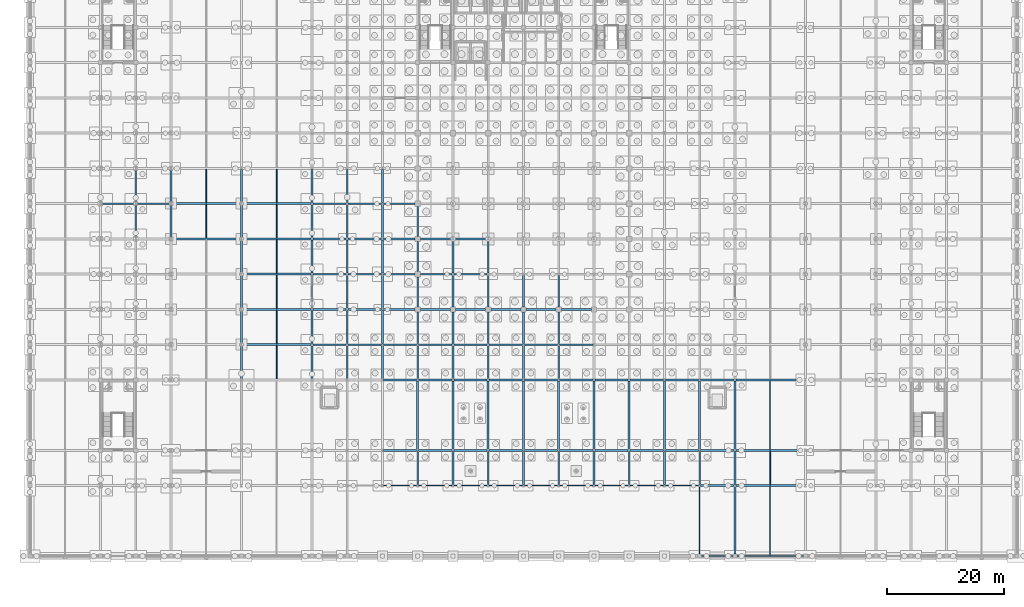
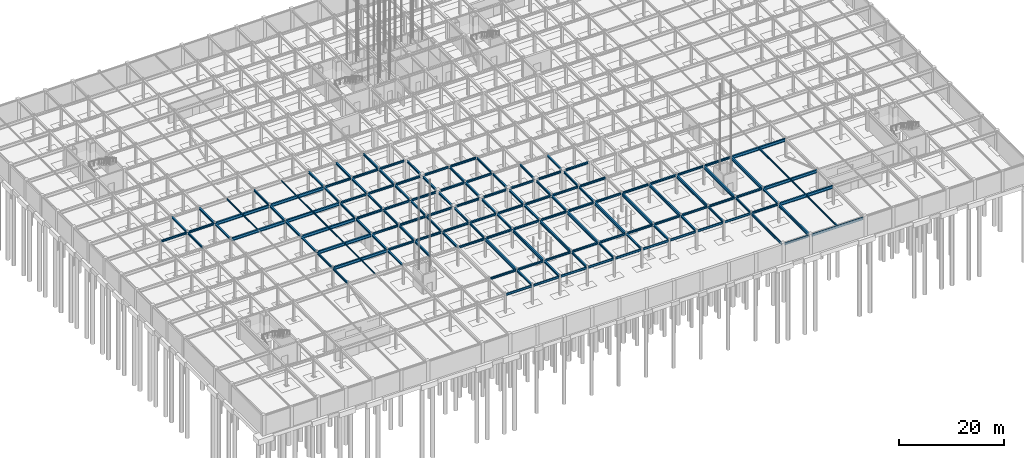
# One storey, part 35 of 69: 153 beams.
"""IFC4 building model written with IfcOpenShell, lengths in metres."""

from ifc_helpers import new_model, si_unit, direction, frame, origin, origin_2d, place, context, subcontext, project, spatial, i_section, extrude, material, material_profile, profile_set, type_object, element, save


model = new_model("IFC4")

# Units and contexts
model_context = context("Model", 3, precision=1e-05, world=origin(), true_north=direction((0.0, 1.0)))
body_context = subcontext(model_context, "Body", "Model", "MODEL_VIEW")
ifc_project = project(units=[si_unit("LENGTHUNIT", "METRE"), si_unit("AREAUNIT", "SQUARE_METRE"), si_unit("VOLUMEUNIT", "CUBIC_METRE"), si_unit("PLANEANGLEUNIT", "RADIAN"), si_unit("MASSUNIT", "GRAM", prefix="KILO")], contexts=[model_context])

# Site, building, storey
site_placement = place(None, origin())
site = spatial("IfcSite", under=ifc_project, at=site_placement, CompositionType="ELEMENT")
building_placement = place(site_placement, origin())
building = spatial("IfcBuilding", under=site, at=building_placement, Name="Zlatovratsky Civic Hall", CompositionType="ELEMENT")
storey_placement = place(building_placement, frame((0.0, 0.0, -4.800048828125)))
storey = spatial("IfcBuildingStorey", under=building, at=storey_placement, Name="B1", CompositionType="ELEMENT", Elevation=-4.800048828125)

# Beams
ifc_material = material(Name="Steel S355", Category="steel")
ifc_material_profile_1 = material_profile(ifc_material, i_section(OverallWidth=0.320068359375, OverallDepth=0.68310546875, WebThickness=0.012939453125, FlangeThickness=0.01904296875, FilletRadius=0.02587890625, at=origin_2d()), Name="70Sh1")
ifc_profile_set_1 = profile_set([ifc_material_profile_1], Name="Steel S355")
beam_type_1 = type_object("IfcBeamType", Name="Beam_HallGirder_70Sh1", PredefinedType="BEAM", material=ifc_profile_set_1)
for number, where, z_axis, x_axis, name in (
    (1, (120.175048828125, 12.0, 4.138427734375), (1.0, 0.0, 0.0), (0.0, 1.0, 0.0), "BM-0030"),
    (2, (120.175048828125, 18.0, 4.138427734375), (1.0, 0.0, 0.0), (0.0, 1.0, 0.0), "BM-0052"),
    (3, (120.175048828125, 30.0, 4.138427734375), (1.0, 0.0, 0.0), (0.0, 1.0, 0.0), "BM-0074"),
    (4, (36.175048828125, 36.0, 4.138427734375), (1.0, 0.0, 0.0), (0.0, 1.0, 0.0), "BM-0083"),
    (5, (36.175048828125, 42.0, 4.138427734375), (1.0, 0.0, 0.0), (0.0, 1.0, 0.0), "BM-0105"),
    (6, (36.175048828125, 48.0, 4.138427734375), (1.0, 0.0, 0.0), (0.0, 1.0, 0.0), "BM-0127"),
    (7, (24.175048828125, 54.0, 4.138427734375), (1.0, 0.0, 0.0), (0.0, 1.0, 0.0), "BM-0148"),
    (8, (36.175048828125, 54.0, 4.138427734375), (1.0, 0.0, 0.0), (0.0, 1.0, 0.0), "BM-0149"),
    (9, (24.175048828125, 60.0, 4.138427734375), (1.0, 0.0, 0.0), (0.0, 1.0, 0.0), "BM-0170"),
    (10, (36.175048828125, 60.0, 4.138427734375), (1.0, 0.0, 0.0), (0.0, 1.0, 0.0), "BM-0171"),
    (11, (66.0, 18.175048828125, 4.138427734375), (0.0, 1.0, 0.0), (-1.0, 0.0, 0.0), "BM-0519"),
    (12, (72.0, 18.175048828125, 4.138427734375), (0.0, 1.0, 0.0), (-1.0, 0.0, 0.0), "BM-0535"),
    (13, (78.0, 18.175048828125, 4.138427734375), (0.0, 1.0, 0.0), (-1.0, 0.0, 0.0), "BM-0551"),
    (14, (84.0, 18.175048828125, 4.138427734375), (0.0, 1.0, 0.0), (-1.0, 0.0, 0.0), "BM-0567"),
    (15, (90.0, 18.175048828125, 4.138427734375), (0.0, 1.0, 0.0), (-1.0, 0.0, 0.0), "BM-0583"),
    (16, (96.0, 18.175048828125, 4.138427734375), (0.0, 1.0, 0.0), (-1.0, 0.0, 0.0), "BM-0599"),
    (17, (102.0, 18.175048828125, 4.138427734375), (0.0, 1.0, 0.0), (-1.0, 0.0, 0.0), "BM-0615"),
    (18, (108.0, 18.175048828125, 4.138427734375), (0.0, 1.0, 0.0), (-1.0, 0.0, 0.0), "BM-0631"),
    (19, (114.0, 18.175048828125, 4.138427734375), (0.0, 1.0, 0.0), (-1.0, 0.0, 0.0), "BM-0648"),
):
    element("IfcBeam", number, at=place(storey_placement, frame(where, z_axis=z_axis, x_axis=x_axis)), inside=storey, type_object=beam_type_1, Name=name, PredefinedType="BEAM", context=body_context, shape_type="SweptSolid", body=[
        extrude(i_section(OverallWidth=0.320068359375, OverallDepth=0.68310546875, WebThickness=0.012939453125, FlangeThickness=0.01904296875, FilletRadius=0.02587890625, at=origin_2d()), origin(), (0.0, 0.0, 1.0), 11.64990234375),
    ])
beam_1_placement = place(storey_placement, frame((120.0, 0.35009765625, 4.138427734375), z_axis=(0.0, 1.0, 0.0), x_axis=(-1.0, 0.0, 0.0)))
element("IfcBeam", 20, at=beam_1_placement, inside=storey, type_object=beam_type_1, Name="BM-0663", PredefinedType="BEAM", context=body_context, shape_type="SweptSolid", body=[
    extrude(i_section(OverallWidth=0.320068359375, OverallDepth=0.68310546875, WebThickness=0.012939453125, FlangeThickness=0.01904296875, FilletRadius=0.02587890625, at=origin_2d()), origin(), (0.0, 0.0, 1.0), 11.474853515625),
])
beam_2_placement = place(storey_placement, frame((120.0, 18.175048828125, 4.138427734375), z_axis=(0.0, 1.0, 0.0), x_axis=(-1.0, 0.0, 0.0)))
element("IfcBeam", 21, at=beam_2_placement, inside=storey, type_object=beam_type_1, Name="BM-0665", PredefinedType="BEAM", context=body_context, shape_type="SweptSolid", body=[
    extrude(i_section(OverallWidth=0.320068359375, OverallDepth=0.68310546875, WebThickness=0.012939453125, FlangeThickness=0.01904296875, FilletRadius=0.02587890625, at=origin_2d()), origin(), (0.0, 0.0, 1.0), 11.64990234375),
])
ifc_material_profile_2 = material_profile(ifc_material, i_section(OverallWidth=0.198974609375, OverallDepth=0.491943359375, WebThickness=0.0087890625, FlangeThickness=0.011962890625, FilletRadius=0.01611328125, at=origin_2d()), Name="50B1")
ifc_profile_set_2 = profile_set([ifc_material_profile_2], Name="Steel S355")
beam_type_2 = type_object("IfcBeamType", Name="Beam_Spandrel_50B1", PredefinedType="SPANDREL", material=ifc_profile_set_2)
beam_3_placement = place(storey_placement, frame((114.35009765625, 0.0, 4.234130859375), z_axis=(1.0, 0.0, 0.0), x_axis=(0.0, 1.0, 0.0)))
element("IfcBeam", 22, at=beam_3_placement, inside=storey, type_object=beam_type_2, Name="BM-0007", PredefinedType="SPANDREL", context=body_context, shape_type="SweptSolid", body=[
    extrude(i_section(OverallWidth=0.198974609375, OverallDepth=0.491943359375, WebThickness=0.0087890625, FlangeThickness=0.011962890625, FilletRadius=0.01611328125, at=origin_2d()), origin(), (0.0, 0.0, 1.0), 5.2998046875),
])
for number, where, z_axis, x_axis, name in (
    (23, (60.175048828125, 12.0, 4.234130859375), (1.0, 0.0, 0.0), (0.0, 1.0, 0.0), "BM-0020"),
    (24, (66.175048828125, 12.0, 4.234130859375), (1.0, 0.0, 0.0), (0.0, 1.0, 0.0), "BM-0021"),
    (25, (72.175048828125, 12.0, 4.234130859375), (1.0, 0.0, 0.0), (0.0, 1.0, 0.0), "BM-0022"),
    (26, (78.175048828125, 12.0, 4.234130859375), (1.0, 0.0, 0.0), (0.0, 1.0, 0.0), "BM-0023"),
    (27, (84.175048828125, 12.0, 4.234130859375), (1.0, 0.0, 0.0), (0.0, 1.0, 0.0), "BM-0024"),
    (28, (90.175048828125, 12.0, 4.234130859375), (1.0, 0.0, 0.0), (0.0, 1.0, 0.0), "BM-0025"),
    (29, (96.175048828125, 12.0, 4.234130859375), (1.0, 0.0, 0.0), (0.0, 1.0, 0.0), "BM-0026"),
    (30, (102.175048828125, 12.0, 4.234130859375), (1.0, 0.0, 0.0), (0.0, 1.0, 0.0), "BM-0027"),
    (31, (108.175048828125, 12.0, 4.234130859375), (1.0, 0.0, 0.0), (0.0, 1.0, 0.0), "BM-0028"),
):
    element("IfcBeam", number, at=place(storey_placement, frame(where, z_axis=z_axis, x_axis=x_axis)), inside=storey, type_object=beam_type_2, Name=name, PredefinedType="SPANDREL", context=body_context, shape_type="SweptSolid", body=[
        extrude(i_section(OverallWidth=0.198974609375, OverallDepth=0.491943359375, WebThickness=0.0087890625, FlangeThickness=0.011962890625, FilletRadius=0.01611328125, at=origin_2d()), origin(), (0.0, 0.0, 1.0), 5.64990234375),
    ])
ifc_material_profile_3 = material_profile(ifc_material, i_section(OverallWidth=0.198974609375, OverallDepth=0.593017578125, WebThickness=0.010498046875, FlangeThickness=0.014892578125, FilletRadius=0.01806640625, at=origin_2d()), Name="60B1")
ifc_profile_set_3 = profile_set([ifc_material_profile_3], Name="Steel S355")
beam_type_3 = type_object("IfcBeamType", Name="Beam_Spandrel_60B1", PredefinedType="SPANDREL", material=ifc_profile_set_3)
beam_4_placement = place(storey_placement, frame((120.35009765625, 0.0, 4.18359375), z_axis=(1.0, 0.0, 0.0), x_axis=(0.0, 1.0, 0.0)))
element("IfcBeam", 32, at=beam_4_placement, inside=storey, type_object=beam_type_3, Name="BM-0008", PredefinedType="SPANDREL", context=body_context, shape_type="SweptSolid", body=[
    extrude(i_section(OverallWidth=0.198974609375, OverallDepth=0.593017578125, WebThickness=0.010498046875, FlangeThickness=0.014892578125, FilletRadius=0.01806640625, at=origin_2d()), origin(), (0.0, 0.0, 1.0), 11.2998046875),
])
beam_5_placement = place(storey_placement, frame((114.0, 0.35009765625, 4.18359375), z_axis=(0.0, 1.0, 0.0), x_axis=(-1.0, 0.0, 0.0)))
element("IfcBeam", 33, at=beam_5_placement, inside=storey, type_object=beam_type_3, Name="BM-0646", PredefinedType="SPANDREL", context=body_context, shape_type="SweptSolid", body=[
    extrude(i_section(OverallWidth=0.198974609375, OverallDepth=0.593017578125, WebThickness=0.010498046875, FlangeThickness=0.014892578125, FilletRadius=0.01806640625, at=origin_2d()), origin(), (0.0, 0.0, 1.0), 11.474853515625),
])
ifc_material_profile_4 = material_profile(ifc_material, i_section(OverallWidth=0.300048828125, OverallDepth=0.43994140625, WebThickness=0.010986328125, FlangeThickness=0.01806640625, FilletRadius=0.02197265625, at=origin_2d()), Name="45Sh1")
ifc_profile_set_4 = profile_set([ifc_material_profile_4], Name="Steel S355")
beam_type_4 = type_object("IfcBeamType", Name="Beam_TowerLow_45Sh1", PredefinedType="BEAM", material=ifc_profile_set_4)
for number, where, z_axis, x_axis, name in (
    (34, (114.175048828125, 12.0, 4.260009765625), (1.0, 0.0, 0.0), (0.0, 1.0, 0.0), "BM-0029"),
    (35, (60.175048828125, 18.0, 4.260009765625), (1.0, 0.0, 0.0), (0.0, 1.0, 0.0), "BM-0042"),
    (36, (66.175048828125, 18.0, 4.260009765625), (1.0, 0.0, 0.0), (0.0, 1.0, 0.0), "BM-0043"),
    (37, (72.175048828125, 18.0, 4.260009765625), (1.0, 0.0, 0.0), (0.0, 1.0, 0.0), "BM-0044"),
    (38, (78.175048828125, 18.0, 4.260009765625), (1.0, 0.0, 0.0), (0.0, 1.0, 0.0), "BM-0045"),
    (39, (84.175048828125, 18.0, 4.260009765625), (1.0, 0.0, 0.0), (0.0, 1.0, 0.0), "BM-0046"),
    (40, (90.175048828125, 18.0, 4.260009765625), (1.0, 0.0, 0.0), (0.0, 1.0, 0.0), "BM-0047"),
    (41, (96.175048828125, 18.0, 4.260009765625), (1.0, 0.0, 0.0), (0.0, 1.0, 0.0), "BM-0048"),
    (42, (102.175048828125, 18.0, 4.260009765625), (1.0, 0.0, 0.0), (0.0, 1.0, 0.0), "BM-0049"),
    (43, (108.175048828125, 18.0, 4.260009765625), (1.0, 0.0, 0.0), (0.0, 1.0, 0.0), "BM-0050"),
    (44, (114.175048828125, 18.0, 4.260009765625), (1.0, 0.0, 0.0), (0.0, 1.0, 0.0), "BM-0051"),
    (45, (60.175048828125, 30.0, 4.260009765625), (1.0, 0.0, 0.0), (0.0, 1.0, 0.0), "BM-0064"),
    (46, (66.175048828125, 30.0, 4.260009765625), (1.0, 0.0, 0.0), (0.0, 1.0, 0.0), "BM-0065"),
    (47, (72.175048828125, 30.0, 4.260009765625), (1.0, 0.0, 0.0), (0.0, 1.0, 0.0), "BM-0066"),
    (48, (78.175048828125, 30.0, 4.260009765625), (1.0, 0.0, 0.0), (0.0, 1.0, 0.0), "BM-0067"),
    (49, (84.175048828125, 30.0, 4.260009765625), (1.0, 0.0, 0.0), (0.0, 1.0, 0.0), "BM-0068"),
    (50, (90.175048828125, 30.0, 4.260009765625), (1.0, 0.0, 0.0), (0.0, 1.0, 0.0), "BM-0069"),
    (51, (96.175048828125, 30.0, 4.260009765625), (1.0, 0.0, 0.0), (0.0, 1.0, 0.0), "BM-0070"),
    (52, (102.175048828125, 30.0, 4.260009765625), (1.0, 0.0, 0.0), (0.0, 1.0, 0.0), "BM-0071"),
    (53, (108.175048828125, 30.0, 4.260009765625), (1.0, 0.0, 0.0), (0.0, 1.0, 0.0), "BM-0072"),
    (54, (114.175048828125, 30.0, 4.260009765625), (1.0, 0.0, 0.0), (0.0, 1.0, 0.0), "BM-0073"),
    (55, (48.175048828125, 36.0, 4.260009765625), (1.0, 0.0, 0.0), (0.0, 1.0, 0.0), "BM-0084"),
    (56, (54.175048828125, 36.0, 4.260009765625), (1.0, 0.0, 0.0), (0.0, 1.0, 0.0), "BM-0085"),
    (57, (60.175048828125, 36.0, 4.260009765625), (1.0, 0.0, 0.0), (0.0, 1.0, 0.0), "BM-0086"),
    (58, (66.175048828125, 36.0, 4.260009765625), (1.0, 0.0, 0.0), (0.0, 1.0, 0.0), "BM-0087"),
    (59, (72.175048828125, 36.0, 4.260009765625), (1.0, 0.0, 0.0), (0.0, 1.0, 0.0), "BM-0088"),
    (60, (78.175048828125, 36.0, 4.260009765625), (1.0, 0.0, 0.0), (0.0, 1.0, 0.0), "BM-0089"),
    (61, (84.175048828125, 36.0, 4.260009765625), (1.0, 0.0, 0.0), (0.0, 1.0, 0.0), "BM-0090"),
    (62, (90.175048828125, 36.0, 4.260009765625), (1.0, 0.0, 0.0), (0.0, 1.0, 0.0), "BM-0091"),
    (63, (48.175048828125, 42.0, 4.260009765625), (1.0, 0.0, 0.0), (0.0, 1.0, 0.0), "BM-0106"),
    (64, (54.175048828125, 42.0, 4.260009765625), (1.0, 0.0, 0.0), (0.0, 1.0, 0.0), "BM-0107"),
):
    element("IfcBeam", number, at=place(storey_placement, frame(where, z_axis=z_axis, x_axis=x_axis)), inside=storey, type_object=beam_type_4, Name=name, PredefinedType="BEAM", context=body_context, shape_type="SweptSolid", body=[
        extrude(i_section(OverallWidth=0.300048828125, OverallDepth=0.43994140625, WebThickness=0.010986328125, FlangeThickness=0.01806640625, FilletRadius=0.02197265625, at=origin_2d()), origin(), (0.0, 0.0, 1.0), 5.64990234375),
    ])
beam_6_placement = place(storey_placement, frame((60.175048828125, 42.0, 4.260009765625), z_axis=(1.0, 0.0, 0.0), x_axis=(0.0, 1.0, 0.0)))
element("IfcBeam", 65, at=beam_6_placement, inside=storey, type_object=beam_type_4, Name="BM-0108", PredefinedType="BEAM", context=body_context, shape_type="SweptSolid", body=[
    extrude(i_section(OverallWidth=0.300048828125, OverallDepth=0.43994140625, WebThickness=0.010986328125, FlangeThickness=0.01806640625, FilletRadius=0.02197265625, at=origin_2d()), origin(), (0.0, 0.0, 1.0), 5.375),
])
for number, where, z_axis, x_axis, name in (
    (66, (66.449951171875, 42.0, 4.260009765625), (1.0, 0.0, 0.0), (0.0, 1.0, 0.0), "BM-0109"),
    (67, (72.449951171875, 42.0, 4.260009765625), (1.0, 0.0, 0.0), (0.0, 1.0, 0.0), "BM-0110"),
    (68, (78.449951171875, 42.0, 4.260009765625), (1.0, 0.0, 0.0), (0.0, 1.0, 0.0), "BM-0111"),
    (69, (84.449951171875, 42.0, 4.260009765625), (1.0, 0.0, 0.0), (0.0, 1.0, 0.0), "BM-0112"),
    (70, (90.449951171875, 42.0, 4.260009765625), (1.0, 0.0, 0.0), (0.0, 1.0, 0.0), "BM-0113"),
):
    element("IfcBeam", number, at=place(storey_placement, frame(where, z_axis=z_axis, x_axis=x_axis)), inside=storey, type_object=beam_type_4, Name=name, PredefinedType="BEAM", context=body_context, shape_type="SweptSolid", body=[
        extrude(i_section(OverallWidth=0.300048828125, OverallDepth=0.43994140625, WebThickness=0.010986328125, FlangeThickness=0.01806640625, FilletRadius=0.02197265625, at=origin_2d()), origin(), (0.0, 0.0, 1.0), 5.10009765625),
    ])
for number, where, z_axis, x_axis, name in (
    (71, (48.175048828125, 48.0, 4.260009765625), (1.0, 0.0, 0.0), (0.0, 1.0, 0.0), "BM-0128"),
    (72, (54.175048828125, 48.0, 4.260009765625), (1.0, 0.0, 0.0), (0.0, 1.0, 0.0), "BM-0129"),
):
    element("IfcBeam", number, at=place(storey_placement, frame(where, z_axis=z_axis, x_axis=x_axis)), inside=storey, type_object=beam_type_4, Name=name, PredefinedType="BEAM", context=body_context, shape_type="SweptSolid", body=[
        extrude(i_section(OverallWidth=0.300048828125, OverallDepth=0.43994140625, WebThickness=0.010986328125, FlangeThickness=0.01806640625, FilletRadius=0.02197265625, at=origin_2d()), origin(), (0.0, 0.0, 1.0), 5.64990234375),
    ])
for number, where, z_axis, x_axis, name in (
    (73, (60.175048828125, 48.0, 4.260009765625), (1.0, 0.0, 0.0), (0.0, 1.0, 0.0), "BM-0130"),
    (74, (66.449951171875, 48.0, 4.260009765625), (1.0, 0.0, 0.0), (0.0, 1.0, 0.0), "BM-0131"),
):
    element("IfcBeam", number, at=place(storey_placement, frame(where, z_axis=z_axis, x_axis=x_axis)), inside=storey, type_object=beam_type_4, Name=name, PredefinedType="BEAM", context=body_context, shape_type="SweptSolid", body=[
        extrude(i_section(OverallWidth=0.300048828125, OverallDepth=0.43994140625, WebThickness=0.010986328125, FlangeThickness=0.01806640625, FilletRadius=0.02197265625, at=origin_2d()), origin(), (0.0, 0.0, 1.0), 5.375),
    ])
for number, where, z_axis, x_axis, name in (
    (75, (72.175048828125, 48.0, 4.260009765625), (1.0, 0.0, 0.0), (0.0, 1.0, 0.0), "BM-0132"),
    (76, (48.175048828125, 54.0, 4.260009765625), (1.0, 0.0, 0.0), (0.0, 1.0, 0.0), "BM-0150"),
    (77, (54.175048828125, 54.0, 4.260009765625), (1.0, 0.0, 0.0), (0.0, 1.0, 0.0), "BM-0151"),
):
    element("IfcBeam", number, at=place(storey_placement, frame(where, z_axis=z_axis, x_axis=x_axis)), inside=storey, type_object=beam_type_4, Name=name, PredefinedType="BEAM", context=body_context, shape_type="SweptSolid", body=[
        extrude(i_section(OverallWidth=0.300048828125, OverallDepth=0.43994140625, WebThickness=0.010986328125, FlangeThickness=0.01806640625, FilletRadius=0.02197265625, at=origin_2d()), origin(), (0.0, 0.0, 1.0), 5.64990234375),
    ])
for number, where, z_axis, x_axis, name in (
    (78, (60.175048828125, 54.0, 4.260009765625), (1.0, 0.0, 0.0), (0.0, 1.0, 0.0), "BM-0152"),
    (79, (66.449951171875, 54.0, 4.260009765625), (1.0, 0.0, 0.0), (0.0, 1.0, 0.0), "BM-0153"),
):
    element("IfcBeam", number, at=place(storey_placement, frame(where, z_axis=z_axis, x_axis=x_axis)), inside=storey, type_object=beam_type_4, Name=name, PredefinedType="BEAM", context=body_context, shape_type="SweptSolid", body=[
        extrude(i_section(OverallWidth=0.300048828125, OverallDepth=0.43994140625, WebThickness=0.010986328125, FlangeThickness=0.01806640625, FilletRadius=0.02197265625, at=origin_2d()), origin(), (0.0, 0.0, 1.0), 5.375),
    ])
for number, where, z_axis, x_axis, name in (
    (80, (72.175048828125, 54.0, 4.260009765625), (1.0, 0.0, 0.0), (0.0, 1.0, 0.0), "BM-0154"),
    (81, (12.175048828125, 60.0, 4.260009765625), (1.0, 0.0, 0.0), (0.0, 1.0, 0.0), "BM-0168"),
    (82, (18.175048828125, 60.0, 4.260009765625), (1.0, 0.0, 0.0), (0.0, 1.0, 0.0), "BM-0169"),
    (83, (48.175048828125, 60.0, 4.260009765625), (1.0, 0.0, 0.0), (0.0, 1.0, 0.0), "BM-0172"),
    (84, (54.175048828125, 60.0, 4.260009765625), (1.0, 0.0, 0.0), (0.0, 1.0, 0.0), "BM-0173"),
):
    element("IfcBeam", number, at=place(storey_placement, frame(where, z_axis=z_axis, x_axis=x_axis)), inside=storey, type_object=beam_type_4, Name=name, PredefinedType="BEAM", context=body_context, shape_type="SweptSolid", body=[
        extrude(i_section(OverallWidth=0.300048828125, OverallDepth=0.43994140625, WebThickness=0.010986328125, FlangeThickness=0.01806640625, FilletRadius=0.02197265625, at=origin_2d()), origin(), (0.0, 0.0, 1.0), 5.64990234375),
    ])
beam_7_placement = place(storey_placement, frame((60.175048828125, 60.0, 4.260009765625), z_axis=(1.0, 0.0, 0.0), x_axis=(0.0, 1.0, 0.0)))
element("IfcBeam", 85, at=beam_7_placement, inside=storey, type_object=beam_type_4, Name="BM-0174", PredefinedType="BEAM", context=body_context, shape_type="SweptSolid", body=[
    extrude(i_section(OverallWidth=0.300048828125, OverallDepth=0.43994140625, WebThickness=0.010986328125, FlangeThickness=0.01806640625, FilletRadius=0.02197265625, at=origin_2d()), origin(), (0.0, 0.0, 1.0), 5.375),
])
for number, where, z_axis, x_axis, name in (
    (86, (18.0, 54.175048828125, 4.260009765625), (0.0, 1.0, 0.0), (-1.0, 0.0, 0.0), "BM-0424"),
    (87, (18.0, 60.175048828125, 4.260009765625), (0.0, 1.0, 0.0), (-1.0, 0.0, 0.0), "BM-0425"),
    (88, (24.0, 54.175048828125, 4.260009765625), (0.0, 1.0, 0.0), (-1.0, 0.0, 0.0), "BM-0441"),
    (89, (24.0, 60.175048828125, 4.260009765625), (0.0, 1.0, 0.0), (-1.0, 0.0, 0.0), "BM-0442"),
    (90, (36.0, 30.175048828125, 4.260009765625), (0.0, 1.0, 0.0), (-1.0, 0.0, 0.0), "BM-0454"),
    (91, (36.0, 36.175048828125, 4.260009765625), (0.0, 1.0, 0.0), (-1.0, 0.0, 0.0), "BM-0455"),
    (92, (36.0, 42.175048828125, 4.260009765625), (0.0, 1.0, 0.0), (-1.0, 0.0, 0.0), "BM-0456"),
    (93, (36.0, 48.175048828125, 4.260009765625), (0.0, 1.0, 0.0), (-1.0, 0.0, 0.0), "BM-0457"),
    (94, (36.0, 54.175048828125, 4.260009765625), (0.0, 1.0, 0.0), (-1.0, 0.0, 0.0), "BM-0458"),
    (95, (36.0, 60.175048828125, 4.260009765625), (0.0, 1.0, 0.0), (-1.0, 0.0, 0.0), "BM-0459"),
    (96, (48.0, 30.175048828125, 4.260009765625), (0.0, 1.0, 0.0), (-1.0, 0.0, 0.0), "BM-0471"),
    (97, (48.0, 36.175048828125, 4.260009765625), (0.0, 1.0, 0.0), (-1.0, 0.0, 0.0), "BM-0472"),
    (98, (48.0, 42.175048828125, 4.260009765625), (0.0, 1.0, 0.0), (-1.0, 0.0, 0.0), "BM-0473"),
    (99, (48.0, 48.175048828125, 4.260009765625), (0.0, 1.0, 0.0), (-1.0, 0.0, 0.0), "BM-0474"),
    (100, (48.0, 54.175048828125, 4.260009765625), (0.0, 1.0, 0.0), (-1.0, 0.0, 0.0), "BM-0475"),
    (101, (48.0, 60.175048828125, 4.260009765625), (0.0, 1.0, 0.0), (-1.0, 0.0, 0.0), "BM-0476"),
    (102, (54.0, 30.175048828125, 4.260009765625), (0.0, 1.0, 0.0), (-1.0, 0.0, 0.0), "BM-0488"),
    (103, (54.0, 36.175048828125, 4.260009765625), (0.0, 1.0, 0.0), (-1.0, 0.0, 0.0), "BM-0489"),
    (104, (54.0, 42.175048828125, 4.260009765625), (0.0, 1.0, 0.0), (-1.0, 0.0, 0.0), "BM-0490"),
    (105, (54.0, 48.175048828125, 4.260009765625), (0.0, 1.0, 0.0), (-1.0, 0.0, 0.0), "BM-0491"),
    (106, (54.0, 54.175048828125, 4.260009765625), (0.0, 1.0, 0.0), (-1.0, 0.0, 0.0), "BM-0492"),
    (107, (54.0, 60.175048828125, 4.260009765625), (0.0, 1.0, 0.0), (-1.0, 0.0, 0.0), "BM-0493"),
    (108, (60.0, 30.175048828125, 4.260009765625), (0.0, 1.0, 0.0), (-1.0, 0.0, 0.0), "BM-0504"),
    (109, (60.0, 36.175048828125, 4.260009765625), (0.0, 1.0, 0.0), (-1.0, 0.0, 0.0), "BM-0505"),
    (110, (60.0, 42.175048828125, 4.260009765625), (0.0, 1.0, 0.0), (-1.0, 0.0, 0.0), "BM-0506"),
    (111, (60.0, 48.175048828125, 4.260009765625), (0.0, 1.0, 0.0), (-1.0, 0.0, 0.0), "BM-0507"),
    (112, (60.0, 54.175048828125, 4.260009765625), (0.0, 1.0, 0.0), (-1.0, 0.0, 0.0), "BM-0508"),
    (113, (60.0, 60.175048828125, 4.260009765625), (0.0, 1.0, 0.0), (-1.0, 0.0, 0.0), "BM-0509"),
    (114, (66.0, 12.175048828125, 4.260009765625), (0.0, 1.0, 0.0), (-1.0, 0.0, 0.0), "BM-0518"),
    (115, (66.0, 30.175048828125, 4.260009765625), (0.0, 1.0, 0.0), (-1.0, 0.0, 0.0), "BM-0520"),
):
    element("IfcBeam", number, at=place(storey_placement, frame(where, z_axis=z_axis, x_axis=x_axis)), inside=storey, type_object=beam_type_4, Name=name, PredefinedType="BEAM", context=body_context, shape_type="SweptSolid", body=[
        extrude(i_section(OverallWidth=0.300048828125, OverallDepth=0.43994140625, WebThickness=0.010986328125, FlangeThickness=0.01806640625, FilletRadius=0.02197265625, at=origin_2d()), origin(), (0.0, 0.0, 1.0), 5.64990234375),
    ])
beam_8_placement = place(storey_placement, frame((66.0, 36.175048828125, 4.260009765625), z_axis=(0.0, 1.0, 0.0), x_axis=(-1.0, 0.0, 0.0)))
element("IfcBeam", 116, at=beam_8_placement, inside=storey, type_object=beam_type_4, Name="BM-0521", PredefinedType="BEAM", context=body_context, shape_type="SweptSolid", body=[
    extrude(i_section(OverallWidth=0.300048828125, OverallDepth=0.43994140625, WebThickness=0.010986328125, FlangeThickness=0.01806640625, FilletRadius=0.02197265625, at=origin_2d()), origin(), (0.0, 0.0, 1.0), 5.375),
])
for number, where, z_axis, x_axis, name in (
    (117, (66.0, 42.449951171875, 4.260009765625), (0.0, 1.0, 0.0), (-1.0, 0.0, 0.0), "BM-0522"),
    (118, (66.0, 48.449951171875, 4.260009765625), (0.0, 1.0, 0.0), (-1.0, 0.0, 0.0), "BM-0523"),
    (119, (66.0, 54.449951171875, 4.260009765625), (0.0, 1.0, 0.0), (-1.0, 0.0, 0.0), "BM-0524"),
):
    element("IfcBeam", number, at=place(storey_placement, frame(where, z_axis=z_axis, x_axis=x_axis)), inside=storey, type_object=beam_type_4, Name=name, PredefinedType="BEAM", context=body_context, shape_type="SweptSolid", body=[
        extrude(i_section(OverallWidth=0.300048828125, OverallDepth=0.43994140625, WebThickness=0.010986328125, FlangeThickness=0.01806640625, FilletRadius=0.02197265625, at=origin_2d()), origin(), (0.0, 0.0, 1.0), 5.10009765625),
    ])
for number, where, z_axis, x_axis, name in (
    (120, (72.0, 12.175048828125, 4.260009765625), (0.0, 1.0, 0.0), (-1.0, 0.0, 0.0), "BM-0534"),
    (121, (72.0, 30.175048828125, 4.260009765625), (0.0, 1.0, 0.0), (-1.0, 0.0, 0.0), "BM-0536"),
):
    element("IfcBeam", number, at=place(storey_placement, frame(where, z_axis=z_axis, x_axis=x_axis)), inside=storey, type_object=beam_type_4, Name=name, PredefinedType="BEAM", context=body_context, shape_type="SweptSolid", body=[
        extrude(i_section(OverallWidth=0.300048828125, OverallDepth=0.43994140625, WebThickness=0.010986328125, FlangeThickness=0.01806640625, FilletRadius=0.02197265625, at=origin_2d()), origin(), (0.0, 0.0, 1.0), 5.64990234375),
    ])
for number, where, z_axis, x_axis, name in (
    (122, (72.0, 36.175048828125, 4.260009765625), (0.0, 1.0, 0.0), (-1.0, 0.0, 0.0), "BM-0537"),
    (123, (72.0, 42.449951171875, 4.260009765625), (0.0, 1.0, 0.0), (-1.0, 0.0, 0.0), "BM-0538"),
):
    element("IfcBeam", number, at=place(storey_placement, frame(where, z_axis=z_axis, x_axis=x_axis)), inside=storey, type_object=beam_type_4, Name=name, PredefinedType="BEAM", context=body_context, shape_type="SweptSolid", body=[
        extrude(i_section(OverallWidth=0.300048828125, OverallDepth=0.43994140625, WebThickness=0.010986328125, FlangeThickness=0.01806640625, FilletRadius=0.02197265625, at=origin_2d()), origin(), (0.0, 0.0, 1.0), 5.375),
    ])
for number, where, z_axis, x_axis, name in (
    (124, (72.0, 48.175048828125, 4.260009765625), (0.0, 1.0, 0.0), (-1.0, 0.0, 0.0), "BM-0539"),
    (125, (78.0, 12.175048828125, 4.260009765625), (0.0, 1.0, 0.0), (-1.0, 0.0, 0.0), "BM-0550"),
    (126, (78.0, 30.175048828125, 4.260009765625), (0.0, 1.0, 0.0), (-1.0, 0.0, 0.0), "BM-0552"),
):
    element("IfcBeam", number, at=place(storey_placement, frame(where, z_axis=z_axis, x_axis=x_axis)), inside=storey, type_object=beam_type_4, Name=name, PredefinedType="BEAM", context=body_context, shape_type="SweptSolid", body=[
        extrude(i_section(OverallWidth=0.300048828125, OverallDepth=0.43994140625, WebThickness=0.010986328125, FlangeThickness=0.01806640625, FilletRadius=0.02197265625, at=origin_2d()), origin(), (0.0, 0.0, 1.0), 5.64990234375),
    ])
for number, where, z_axis, x_axis, name in (
    (127, (78.0, 36.175048828125, 4.260009765625), (0.0, 1.0, 0.0), (-1.0, 0.0, 0.0), "BM-0553"),
    (128, (78.0, 42.449951171875, 4.260009765625), (0.0, 1.0, 0.0), (-1.0, 0.0, 0.0), "BM-0554"),
):
    element("IfcBeam", number, at=place(storey_placement, frame(where, z_axis=z_axis, x_axis=x_axis)), inside=storey, type_object=beam_type_4, Name=name, PredefinedType="BEAM", context=body_context, shape_type="SweptSolid", body=[
        extrude(i_section(OverallWidth=0.300048828125, OverallDepth=0.43994140625, WebThickness=0.010986328125, FlangeThickness=0.01806640625, FilletRadius=0.02197265625, at=origin_2d()), origin(), (0.0, 0.0, 1.0), 5.375),
    ])
for number, where, z_axis, x_axis, name in (
    (129, (78.0, 48.175048828125, 4.260009765625), (0.0, 1.0, 0.0), (-1.0, 0.0, 0.0), "BM-0555"),
    (130, (84.0, 12.175048828125, 4.260009765625), (0.0, 1.0, 0.0), (-1.0, 0.0, 0.0), "BM-0566"),
    (131, (84.0, 30.175048828125, 4.260009765625), (0.0, 1.0, 0.0), (-1.0, 0.0, 0.0), "BM-0568"),
):
    element("IfcBeam", number, at=place(storey_placement, frame(where, z_axis=z_axis, x_axis=x_axis)), inside=storey, type_object=beam_type_4, Name=name, PredefinedType="BEAM", context=body_context, shape_type="SweptSolid", body=[
        extrude(i_section(OverallWidth=0.300048828125, OverallDepth=0.43994140625, WebThickness=0.010986328125, FlangeThickness=0.01806640625, FilletRadius=0.02197265625, at=origin_2d()), origin(), (0.0, 0.0, 1.0), 5.64990234375),
    ])
for number, where, z_axis, x_axis, name in (
    (132, (84.0, 36.175048828125, 4.260009765625), (0.0, 1.0, 0.0), (-1.0, 0.0, 0.0), "BM-0569"),
    (133, (84.0, 42.449951171875, 4.260009765625), (0.0, 1.0, 0.0), (-1.0, 0.0, 0.0), "BM-0570"),
):
    element("IfcBeam", number, at=place(storey_placement, frame(where, z_axis=z_axis, x_axis=x_axis)), inside=storey, type_object=beam_type_4, Name=name, PredefinedType="BEAM", context=body_context, shape_type="SweptSolid", body=[
        extrude(i_section(OverallWidth=0.300048828125, OverallDepth=0.43994140625, WebThickness=0.010986328125, FlangeThickness=0.01806640625, FilletRadius=0.02197265625, at=origin_2d()), origin(), (0.0, 0.0, 1.0), 5.375),
    ])
for number, where, z_axis, x_axis, name in (
    (134, (90.0, 12.175048828125, 4.260009765625), (0.0, 1.0, 0.0), (-1.0, 0.0, 0.0), "BM-0582"),
    (135, (90.0, 30.175048828125, 4.260009765625), (0.0, 1.0, 0.0), (-1.0, 0.0, 0.0), "BM-0584"),
):
    element("IfcBeam", number, at=place(storey_placement, frame(where, z_axis=z_axis, x_axis=x_axis)), inside=storey, type_object=beam_type_4, Name=name, PredefinedType="BEAM", context=body_context, shape_type="SweptSolid", body=[
        extrude(i_section(OverallWidth=0.300048828125, OverallDepth=0.43994140625, WebThickness=0.010986328125, FlangeThickness=0.01806640625, FilletRadius=0.02197265625, at=origin_2d()), origin(), (0.0, 0.0, 1.0), 5.64990234375),
    ])
for number, where, z_axis, x_axis, name in (
    (136, (90.0, 36.175048828125, 4.260009765625), (0.0, 1.0, 0.0), (-1.0, 0.0, 0.0), "BM-0585"),
    (137, (90.0, 42.449951171875, 4.260009765625), (0.0, 1.0, 0.0), (-1.0, 0.0, 0.0), "BM-0586"),
):
    element("IfcBeam", number, at=place(storey_placement, frame(where, z_axis=z_axis, x_axis=x_axis)), inside=storey, type_object=beam_type_4, Name=name, PredefinedType="BEAM", context=body_context, shape_type="SweptSolid", body=[
        extrude(i_section(OverallWidth=0.300048828125, OverallDepth=0.43994140625, WebThickness=0.010986328125, FlangeThickness=0.01806640625, FilletRadius=0.02197265625, at=origin_2d()), origin(), (0.0, 0.0, 1.0), 5.375),
    ])
for number, where, z_axis, x_axis, name in (
    (138, (96.0, 12.175048828125, 4.260009765625), (0.0, 1.0, 0.0), (-1.0, 0.0, 0.0), "BM-0598"),
    (139, (102.0, 12.175048828125, 4.260009765625), (0.0, 1.0, 0.0), (-1.0, 0.0, 0.0), "BM-0614"),
    (140, (108.0, 12.175048828125, 4.260009765625), (0.0, 1.0, 0.0), (-1.0, 0.0, 0.0), "BM-0630"),
    (141, (114.0, 12.175048828125, 4.260009765625), (0.0, 1.0, 0.0), (-1.0, 0.0, 0.0), "BM-0647"),
    (142, (120.0, 12.175048828125, 4.260009765625), (0.0, 1.0, 0.0), (-1.0, 0.0, 0.0), "BM-0664"),
):
    element("IfcBeam", number, at=place(storey_placement, frame(where, z_axis=z_axis, x_axis=x_axis)), inside=storey, type_object=beam_type_4, Name=name, PredefinedType="BEAM", context=body_context, shape_type="SweptSolid", body=[
        extrude(i_section(OverallWidth=0.300048828125, OverallDepth=0.43994140625, WebThickness=0.010986328125, FlangeThickness=0.01806640625, FilletRadius=0.02197265625, at=origin_2d()), origin(), (0.0, 0.0, 1.0), 5.64990234375),
    ])
ifc_material_profile_5 = material_profile(ifc_material, i_section(OverallWidth=0.175048828125, OverallDepth=0.35009765625, WebThickness=0.007080078125, FlangeThickness=0.010986328125, FilletRadius=0.013916015625, at=origin_2d()), Name="35B2")
ifc_profile_set_5 = profile_set([ifc_material_profile_5], Name="Steel S355")
beam_type_5 = type_object("IfcBeamType", Name="Joist_Heavy_35B2", PredefinedType="JOIST", material=ifc_profile_set_5)
beam_9_placement = place(storey_placement, frame((126.0, 0.099609375, 4.304931640625), z_axis=(0.0, 1.0, 0.0), x_axis=(-1.0, 0.0, 0.0)))
element("IfcBeam", 143, at=beam_9_placement, inside=storey, type_object=beam_type_5, Name="BM-0768", PredefinedType="JOIST", context=body_context, shape_type="SweptSolid", body=[
    extrude(i_section(OverallWidth=0.175048828125, OverallDepth=0.35009765625, WebThickness=0.007080078125, FlangeThickness=0.010986328125, FilletRadius=0.013916015625, at=origin_2d()), origin(), (0.0, 0.0, 1.0), 11.740478515625),
])
beam_10_placement = place(storey_placement, frame((126.0, 18.159912109375, 4.304931640625), z_axis=(0.0, 1.0, 0.0), x_axis=(-1.0, 0.0, 0.0)))
element("IfcBeam", 144, at=beam_10_placement, inside=storey, type_object=beam_type_5, Name="BM-0780", PredefinedType="JOIST", context=body_context, shape_type="SweptSolid", body=[
    extrude(i_section(OverallWidth=0.175048828125, OverallDepth=0.35009765625, WebThickness=0.007080078125, FlangeThickness=0.010986328125, FilletRadius=0.013916015625, at=origin_2d()), origin(), (0.0, 0.0, 1.0), 11.68017578125),
])
ifc_material_profile_6 = material_profile(ifc_material, i_section(OverallWidth=0.14990234375, OverallDepth=0.300048828125, WebThickness=0.006591796875, FlangeThickness=0.009033203125, FilletRadius=0.012939453125, at=origin_2d()), Name="30B2")
ifc_profile_set_6 = profile_set([ifc_material_profile_6], Name="Steel S355")
beam_type_6 = type_object("IfcBeamType", Name="Joist_Podium_30B2", PredefinedType="JOIST", material=ifc_profile_set_6)
for number, where, z_axis, x_axis, name in (
    (145, (126.0, 12.159912109375, 4.330078125), (0.0, 1.0, 0.0), (-1.0, 0.0, 0.0), "BM-0774"),
    (146, (42.0, 30.159912109375, 4.330078125), (0.0, 1.0, 0.0), (-1.0, 0.0, 0.0), "BM-0785"),
    (147, (42.0, 36.159912109375, 4.330078125), (0.0, 1.0, 0.0), (-1.0, 0.0, 0.0), "BM-0791"),
    (148, (42.0, 42.159912109375, 4.330078125), (0.0, 1.0, 0.0), (-1.0, 0.0, 0.0), "BM-0797"),
    (149, (42.0, 48.159912109375, 4.330078125), (0.0, 1.0, 0.0), (-1.0, 0.0, 0.0), "BM-0803"),
    (150, (30.0, 54.159912109375, 4.330078125), (0.0, 1.0, 0.0), (-1.0, 0.0, 0.0), "BM-0808"),
    (151, (42.0, 54.159912109375, 4.330078125), (0.0, 1.0, 0.0), (-1.0, 0.0, 0.0), "BM-0809"),
    (152, (30.0, 60.159912109375, 4.330078125), (0.0, 1.0, 0.0), (-1.0, 0.0, 0.0), "BM-0814"),
    (153, (42.0, 60.159912109375, 4.330078125), (0.0, 1.0, 0.0), (-1.0, 0.0, 0.0), "BM-0815"),
):
    element("IfcBeam", number, at=place(storey_placement, frame(where, z_axis=z_axis, x_axis=x_axis)), inside=storey, type_object=beam_type_6, Name=name, PredefinedType="JOIST", context=body_context, shape_type="SweptSolid", body=[
        extrude(i_section(OverallWidth=0.14990234375, OverallDepth=0.300048828125, WebThickness=0.006591796875, FlangeThickness=0.009033203125, FilletRadius=0.012939453125, at=origin_2d()), origin(), (0.0, 0.0, 1.0), 5.68017578125),
    ])

save(model, "model.ifc")
